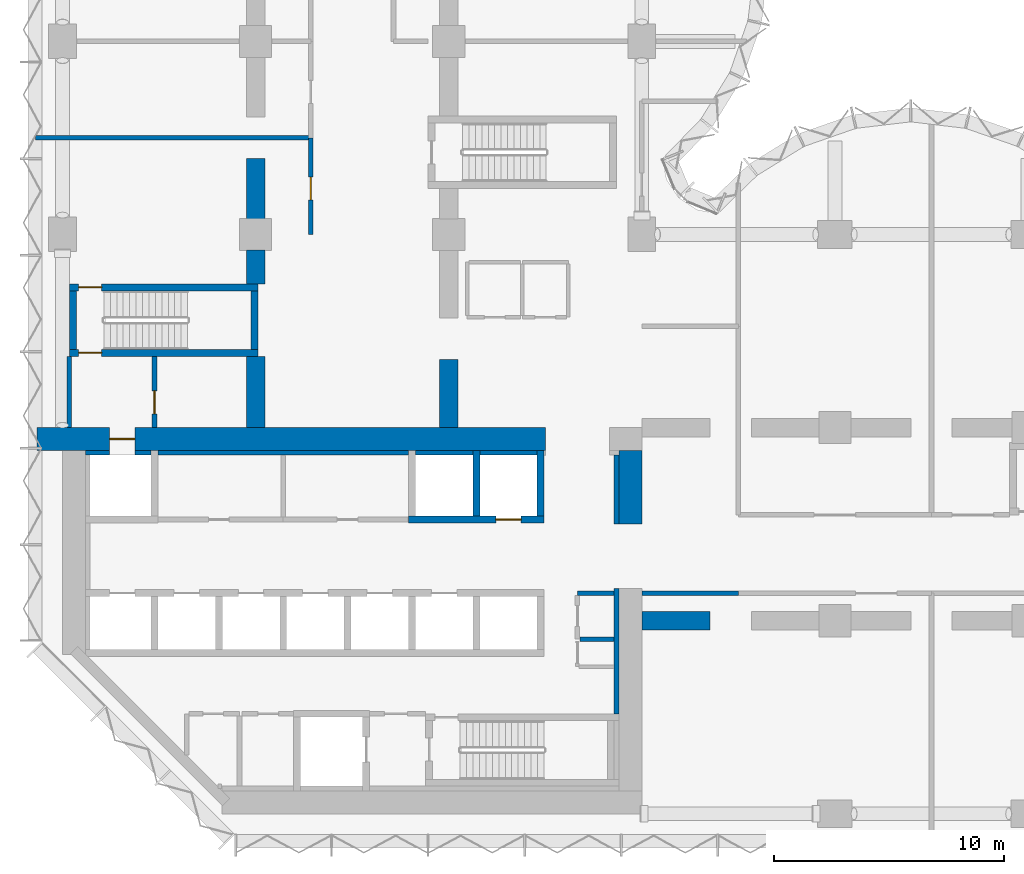
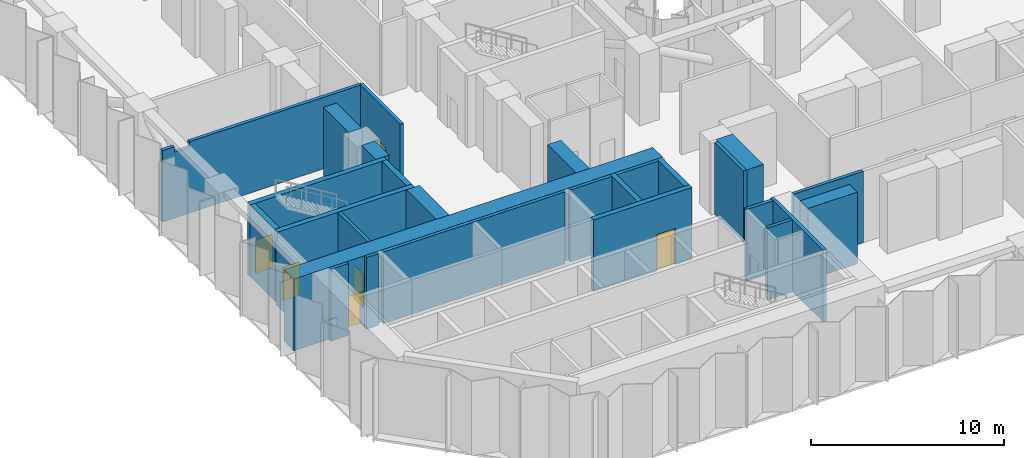
# One storey, part 10 of 18: 28 walls, 6 doors, 6 openings.
"""IFC4 building model written with IfcOpenShell, lengths in metres."""

import ifcopenshell
import ifcopenshell.guid

model = None  # the IFC model being written
_history = None  # IfcOwnerHistory: only IFC2X3 demands one
_inside = {}  # id of a spatial element -> (the spatial element, [elements in it])
_under = {}  # id of a project, library or spatial element -> (it, [spatial elements below it])
_declared = {}  # id of a project -> (the project, [libraries it declares])
_typed = {}  # id of a type object -> (the type object, [elements of that type])
_made_of = {}  # id of a material, layer set ... -> (it, [elements and type objects made of it])


def new_model(schema):
    """Start an empty IFC model of exactly this schema.

    Asked for "IFC4X3", IfcOpenShell would pick the latest addendum, in which some entities
    have other attributes; the version numbers below select the first issue.
    IFC2X3 requires an IfcOwnerHistory on every rooted entity: one is made here for all.
    """
    global model, _history
    if schema == "IFC4X3":
        model = ifcopenshell.file(schema_version=(4, 3, 0, 0))
    else:
        model = ifcopenshell.file(schema=schema)
    _inside.clear()
    _under.clear()
    _declared.clear()
    _typed.clear()
    _made_of.clear()
    _history = None
    if model.schema == "IFC2X3":
        org = make("IfcOrganization", Name="unknown")
        user = make(
            "IfcPersonAndOrganization",
            ThePerson=make("IfcPerson", FamilyName="unknown"),
            TheOrganization=org,
        )
        app = make(
            "IfcApplication",
            ApplicationDeveloper=org,
            Version="unknown",
            ApplicationFullName="unknown",
            ApplicationIdentifier="unknown",
        )
        _history = make(
            "IfcOwnerHistory",
            OwningUser=user,
            OwningApplication=app,
            ChangeAction="ADDED",
            CreationDate=0,
        )
    return model


def make(cls, **values):
    """One entity of the class cls with the attributes given. An attribute that is None is left unset."""
    return model.create_entity(
        cls, **{name: value for name, value in values.items() if value is not None}
    )


def rooted(cls, **values):
    """An entity with a GlobalId (a new one), such as an element, a storey or a relation."""
    return make(cls, GlobalId=ifcopenshell.guid.new(), OwnerHistory=_history, **values)


def si_unit(unit_type, name, prefix=None):
    """IfcSIUnit, for example si_unit("LENGTHUNIT", "METRE", prefix="MILLI")."""
    return make("IfcSIUnit", UnitType=unit_type, Prefix=prefix, Name=name)


def assignment(units):
    """IfcUnitAssignment: the units of a project."""
    return None if units is None else make("IfcUnitAssignment", Units=units)


def point(xyz):
    """IfcCartesianPoint."""
    return None if xyz is None else make("IfcCartesianPoint", Coordinates=xyz)


def direction(xyz):
    """IfcDirection."""
    return None if xyz is None else make("IfcDirection", DirectionRatios=xyz)


def frame(location, z_axis=None, x_axis=None):
    """IfcAxis2Placement3D, a coordinate frame: its origin and axes. An axis left out is left unset."""
    return make(
        "IfcAxis2Placement3D",
        Location=point(location),
        Axis=direction(z_axis),
        RefDirection=direction(x_axis),
    )


def frame_2d(location, x_axis=None):
    """IfcAxis2Placement2D, a coordinate frame in the plane: its origin and x axis."""
    return make(
        "IfcAxis2Placement2D", Location=point(location), RefDirection=direction(x_axis)
    )


def origin():
    """The frame at (0, 0, 0) with its axes left unset."""
    return frame((0.0, 0.0, 0.0))


def place(relative_to, where):
    """IfcLocalPlacement: puts the frame where relative to a parent placement (None: the world)."""
    return make(
        "IfcLocalPlacement", PlacementRelTo=relative_to, RelativePlacement=where
    )


def context(
    kind, dimensions, precision=None, world=None, true_north=None, identifier=None
):
    """IfcGeometricRepresentationContext, for example the 3D "Model" context."""
    return make(
        "IfcGeometricRepresentationContext",
        ContextIdentifier=identifier,
        ContextType=kind,
        CoordinateSpaceDimension=dimensions,
        Precision=precision,
        WorldCoordinateSystem=world,
        TrueNorth=true_north,
    )


def subcontext(parent, identifier, kind, view, scale=None):
    """IfcGeometricRepresentationSubContext, for example "Body" below "Model"."""
    return make(
        "IfcGeometricRepresentationSubContext",
        ContextIdentifier=identifier,
        ContextType=kind,
        ParentContext=parent,
        TargetScale=scale,
        TargetView=view,
    )


def project(units=None, contexts=None):
    """IfcProject with its units and contexts."""
    return rooted(
        "IfcProject",
        Name="project",
        RepresentationContexts=contexts,
        UnitsInContext=assignment(units),
    )


def spatial(cls, under=None, at=None, **own):
    """A site, building, storey or space (cls), placed at a placement, below another one or the project."""
    s = rooted(cls, ObjectPlacement=at, **own)
    if under is not None:
        _under.setdefault(under.id(), (under, []))[1].append(s)
    return s


def polyline(points):
    """IfcPolyline through the points."""
    return make("IfcPolyline", Points=[point(p) for p in points])


def profile(cls, at=None, kind="AREA", **sizes):
    """A parametric profile (cls). Its sizes go by their IFC names, for example OverallWidth=200.0."""
    return make(cls, ProfileType=kind, Position=at, **sizes)


def rectangle(**sizes):
    """IfcRectangleProfileDef."""
    return profile("IfcRectangleProfileDef", **sizes)


def outline(outer, holes=None, kind="AREA"):
    """IfcArbitraryClosedProfileDef: a profile drawn as a closed curve; with holes, ...WithVoids."""
    if holes is None:
        return make("IfcArbitraryClosedProfileDef", ProfileType=kind, OuterCurve=outer)
    return make(
        "IfcArbitraryProfileDefWithVoids",
        ProfileType=kind,
        OuterCurve=outer,
        InnerCurves=holes,
    )


def extrude(swept, where, along, depth):
    """IfcExtrudedAreaSolid: the profile swept, set in the frame where, extruded along a direction by depth."""
    return make(
        "IfcExtrudedAreaSolid",
        SweptArea=swept,
        Position=where,
        ExtrudedDirection=direction(along),
        Depth=depth,
    )


def shape(context_of_items, identifier, shape_type, items):
    """IfcShapeRepresentation: the items that make up one representation, for example the "Body"."""
    return make(
        "IfcShapeRepresentation",
        ContextOfItems=context_of_items,
        RepresentationIdentifier=identifier,
        RepresentationType=shape_type,
        Items=items,
    )


def material(Name=None, Category=None):
    """IfcMaterial."""
    return make("IfcMaterial", Name=Name, Category=Category)


def layer(
    of_material, thickness, ventilated=None, Name=None, Category=None, Priority=None
):
    """IfcMaterialLayer: one layer of a wall or slab, of a material (None: an air gap)."""
    return make(
        "IfcMaterialLayer",
        Material=of_material,
        LayerThickness=thickness,
        IsVentilated=ventilated,
        Name=Name,
        Category=Category,
        Priority=Priority,
    )


def layer_set(layers, Name=None):
    """IfcMaterialLayerSet."""
    return make("IfcMaterialLayerSet", MaterialLayers=layers, LayerSetName=Name)


def made_of(thing, what):
    """Note that an element or type object is made of a material, layer set ...; save() writes the relation."""
    if what is not None:
        _made_of.setdefault(what.id(), (what, []))[1].append(thing)
    return thing


def type_object(cls, material=None, **own):
    """A type object (cls), such as IfcWallType, which elements share."""
    return made_of(rooted(cls, **own), material)


def element(
    cls,
    number,
    at=None,
    inside=None,
    cuts=None,
    type_object=None,
    material=None,
    context=None,
    identifier="Body",
    shape_type=None,
    held_by="IfcProductDefinitionShape",
    body=None,
    shapes=None,
    **own,
):
    """One element of the class cls, such as IfcWall. Its Tag is "e" and its number.

    at: its placement. inside: the storey or other place that contains it. cuts: it is an
    opening in that element (IfcRelVoidsElement). A single representation is given by context,
    identifier, shape_type and body (its items); several are given by shapes. held_by: the class
    of the entity that holds the representations. save() writes the other relations.
    """
    e = rooted(cls, Tag="e%d" % number, ObjectPlacement=at, **own)
    if body is not None:
        shapes = [shape(context, identifier, shape_type, body)]
    if shapes is not None:
        e.Representation = make(held_by, Representations=shapes)
    if inside is not None:
        _inside.setdefault(inside.id(), (inside, []))[1].append(e)
    if cuts is not None:
        rooted(
            "IfcRelVoidsElement", RelatingBuildingElement=cuts, RelatedOpeningElement=e
        )
    if type_object is not None:
        _typed.setdefault(type_object.id(), (type_object, []))[1].append(e)
    return made_of(e, material)


def fill(opening, filler):
    """IfcRelFillsElement: the door or window that sits in an opening."""
    return rooted(
        "IfcRelFillsElement",
        RelatingOpeningElement=opening,
        RelatedBuildingElement=filler,
    )


def aggregate(whole, parts):
    """IfcRelAggregates: a whole, such as a stair, and the parts it consists of."""
    return rooted("IfcRelAggregates", RelatingObject=whole, RelatedObjects=parts)


def save(model, path):
    """Write the relations noted so far, then the file.

    IfcRelAggregates (storeys below a building ...), IfcRelContainedInSpatialStructure (elements
    in a storey), IfcRelDefinesByType, IfcRelAssociatesMaterial and IfcRelDeclares: one each for
    every whole, place, type object, material and project.
    """
    for whole, parts in _under.values():
        aggregate(whole, parts)
    for where, things in _inside.values():
        rooted(
            "IfcRelContainedInSpatialStructure",
            RelatedElements=things,
            RelatingStructure=where,
        )
    for kind, things in _typed.values():
        rooted("IfcRelDefinesByType", RelatedObjects=things, RelatingType=kind)
    for what, things in _made_of.values():
        rooted("IfcRelAssociatesMaterial", RelatedObjects=things, RelatingMaterial=what)
    for by, libraries in _declared.values():
        rooted("IfcRelDeclares", RelatingContext=by, RelatedDefinitions=libraries)
    model.write(path)


model = new_model("IFC4")

# Units and contexts
model_context = context("Model", 3, precision=1e-05, world=origin(), true_north=direction((0.0, 1.0)))
body_context = subcontext(model_context, "Body", "Model", "MODEL_VIEW")
ifc_project = project(units=[si_unit("LENGTHUNIT", "METRE"), si_unit("AREAUNIT", "SQUARE_METRE"), si_unit("VOLUMEUNIT", "CUBIC_METRE"), si_unit("PLANEANGLEUNIT", "RADIAN"), si_unit("MASSUNIT", "GRAM", prefix="KILO")], contexts=[model_context])

# Site, building, storey
site_placement = place(None, origin())
site = spatial("IfcSite", under=ifc_project, at=site_placement, CompositionType="ELEMENT")
building_placement = place(site_placement, origin())
building = spatial("IfcBuilding", under=site, at=building_placement, Name="Brevane Broadcast Tower", CompositionType="ELEMENT")
storey_placement = place(building_placement, frame((0.0, 0.0, 86.89990234375)))
storey = spatial("IfcBuildingStorey", under=building, at=storey_placement, Name="L20", CompositionType="ELEMENT", Elevation=86.89990234375)

# Walls
ifc_material_1 = material(Name="Concrete C32/40", Category="concrete")
ifc_layer_1 = layer(ifc_material_1, 0.199951171875)
ifc_layer_set_1 = layer_set([ifc_layer_1], Name="Core chase wall 200 mm")
wall_type_1 = type_object("IfcWallType", Name="Core chase wall 200 mm", PredefinedType="PARTITIONING", material=ifc_layer_set_1)
wall_1_placement = place(storey_placement, frame((24.10009765625, 12.60009765625, 0.0), z_axis=(0.0, 0.0, 1.0), x_axis=(0.0, 1.0, 0.0)))
element("IfcWall", 1, at=wall_1_placement, inside=storey, type_object=wall_type_1, Name="L20 chase wall LE2", PredefinedType="PARTITIONING", context=body_context, shape_type="SweptSolid", body=[
    extrude(rectangle(XDim=3.0, YDim=0.199951171875, at=frame_2d((1.5, 0.0))), origin(), (0.0, 0.0, 1.0), 4.550048828125),
])
wall_2_placement = place(storey_placement, frame((1.0, 15.699951171875, 0.0), z_axis=(0.0, 0.0, 1.0), x_axis=(1.0, 0.0, 0.0)))
element("IfcWall", 2, at=wall_2_placement, inside=storey, type_object=wall_type_1, Name="L20 chase wall LN0", PredefinedType="PARTITIONING", context=body_context, shape_type="SweptSolid", body=[
    extrude(rectangle(XDim=1.050048828125, YDim=0.199951171875, at=frame_2d((0.52490234375, 0.0))), origin(), (0.0, 0.0, 1.0), 4.550048828125),
])
wall_3_placement = place(storey_placement, frame((3.14990234375, 15.699951171875, 0.0), z_axis=(0.0, 0.0, 1.0), x_axis=(1.0, 0.0, 0.0)))
element("IfcWall", 3, at=wall_3_placement, inside=storey, type_object=wall_type_1, Name="L20 chase wall LN1-1", PredefinedType="PARTITIONING", context=body_context, shape_type="SweptSolid", body=[
    extrude(rectangle(XDim=0.7001953125, YDim=0.199951171875, at=frame_2d((0.35009765625, 0.0))), origin(), (0.0, 0.0, 1.0), 4.550048828125),
])
wall_4_placement = place(storey_placement, frame((4.14990234375, 15.699951171875, 0.0), z_axis=(0.0, 0.0, 1.0), x_axis=(1.0, 0.0, 0.0)))
element("IfcWall", 4, at=wall_4_placement, inside=storey, type_object=wall_type_1, Name="L20 chase wall LN1-2-1", PredefinedType="PARTITIONING", context=body_context, shape_type="SweptSolid", body=[
    extrude(rectangle(XDim=10.900146484375, YDim=0.199951171875, at=frame_2d((5.4501953125, 0.0))), origin(), (0.0, 0.0, 1.0), 4.550048828125),
])
for number, where, z_axis, x_axis, name in (
    (5, (15.35009765625, 15.699951171875, 0.0), (0.0, 0.0, 1.0), (1.0, 0.0, 0.0), "L20 chase wall LN1-2-2-1"),
    (6, (18.14990234375, 15.699951171875, 0.0), (0.0, 0.0, 1.0), (1.0, 0.0, 0.0), "L20 chase wall LN1-2-2-2-1"),
):
    element("IfcWall", number, at=place(storey_placement, frame(where, z_axis=z_axis, x_axis=x_axis)), inside=storey, type_object=wall_type_1, Name=name, PredefinedType="PARTITIONING", context=body_context, shape_type="SweptSolid", body=[
        extrude(rectangle(XDim=2.5, YDim=0.199951171875, at=frame_2d((1.25, 0.0))), origin(), (0.0, 0.0, 1.0), 4.550048828125),
    ])
wall_5_placement = place(storey_placement, frame((24.10009765625, 4.35009765625, 0.0), z_axis=(0.0, 0.0, 1.0), x_axis=(0.0, 1.0, 0.0)))
element("IfcWall", 7, at=wall_5_placement, inside=storey, type_object=wall_type_1, Name="L20 chase wall LE1-2-2", PredefinedType="PARTITIONING", context=body_context, shape_type="SweptSolid", body=[
    extrude(rectangle(XDim=5.449951171875, YDim=0.199951171875, at=frame_2d((2.72509765625, 0.0))), origin(), (0.0, 0.0, 1.0), 4.550048828125),
])
ifc_material_2 = material(Name="Gypsum board on steel studs", Category="steel")
ifc_layer_2 = layer(ifc_material_2, 0.199951171875)
ifc_layer_set_2 = layer_set([ifc_layer_2], Name="Core fire partition 200 mm")
wall_type_2 = type_object("IfcWallType", Name="Core fire partition 200 mm", PredefinedType="PARTITIONING", material=ifc_layer_set_2)
wall_6_placement = place(storey_placement, frame((0.300048828125, 16.81201171875, 0.0), z_axis=(0.0, 0.0, 1.0), x_axis=(0.0, 1.0, 0.0)))
element("IfcWall", 8, at=wall_6_placement, inside=storey, type_object=wall_type_2, Name="L20 partition wall P01", PredefinedType="PARTITIONING", context=body_context, shape_type="SweptSolid", body=[
    extrude(rectangle(XDim=3.075927734375, YDim=0.199951171875, at=frame_2d((1.5380859375, 0.0))), origin(), (0.0, 0.0, 1.0), 4.18017578125),
])

# Wall, opening, door
wall_7_placement = place(storey_placement, frame((4.0, 19.887939453125, 0.0), z_axis=(0.0, 0.0, 1.0), x_axis=(0.0, -1.0, 0.0)))
wall_7 = element("IfcWall", 9, at=wall_7_placement, inside=storey, type_object=wall_type_2, Name="L20 partition wall P02", PredefinedType="PARTITIONING", context=body_context, shape_type="SweptSolid", body=[
    extrude(rectangle(XDim=3.075927734375, YDim=0.199951171875, at=frame_2d((1.5380859375, 0.0))), origin(), (0.0, 0.0, 1.0), 4.550048828125),
])
opening_1_placement = place(wall_7_placement, frame((1.488037109375, 0.0, 0.0)))
opening_1 = element("IfcOpeningElement", 10, at=opening_1_placement, cuts=wall_7, Name="Opening L20-K23", PredefinedType="OPENING", context=body_context, shape_type="SweptSolid", body=[
    extrude(rectangle(XDim=1.0, YDim=2.10009765625, at=frame_2d((0.5, 1.050048828125))), frame((0.0, 0.10986328125, 0.0), z_axis=(0.0, -1.0, 0.0), x_axis=(1.0, 0.0, 0.0)), (0.0, 0.0, 1.0), 0.219970703125),
])
ifc_material_3 = material(Name="Steel", Category="steel")
door_type_1 = type_object("IfcDoorType", Name="Stair door 1000 x 2100", OperationType="SINGLE_SWING_LEFT", PredefinedType="DOOR", material=ifc_material_3)
door_1_placement = place(opening_1_placement, origin())
door_1 = element("IfcDoor", 11, at=door_1_placement, inside=storey, type_object=door_type_1, Name="Door L20-K23", OperationType="SINGLE_SWING_LEFT", OverallHeight=2.10009765625, OverallWidth=1.0, PredefinedType="DOOR", context=body_context, shape_type="SweptSolid", body=[
    extrude(rectangle(XDim=1.0, YDim=2.10009765625, at=frame_2d((0.5, 1.050048828125))), frame((0.0, 0.02490234375, 0.0), z_axis=(0.0, -1.0, 0.0), x_axis=(1.0, 0.0, 0.0)), (0.0, 0.0, 1.0), 0.050048828125),
])
fill(opening_1, door_1)

# Walls
wall_8_placement = place(storey_placement, frame((23.988037109375, 9.60009765625, 0.0), z_axis=(0.0, 0.0, 1.0), x_axis=(-1.0, 0.0, 0.0)))
element("IfcWall", 12, at=wall_8_placement, inside=storey, type_object=wall_type_2, Name="L20 partition wall P12", PredefinedType="PARTITIONING", context=body_context, shape_type="SweptSolid", body=[
    extrude(rectangle(XDim=1.588134765625, YDim=0.199951171875, at=frame_2d((0.7939453125, 0.0))), origin(), (0.0, 0.0, 1.0), 4.550048828125),
])
wall_9_placement = place(storey_placement, frame((22.5, 7.60009765625, 0.0), z_axis=(0.0, 0.0, 1.0), x_axis=(1.0, 0.0, 0.0)))
element("IfcWall", 13, at=wall_9_placement, inside=storey, type_object=wall_type_2, Name="L20 partition wall P14", PredefinedType="PARTITIONING", context=body_context, shape_type="SweptSolid", body=[
    extrude(rectangle(XDim=1.488037109375, YDim=0.199951171875, at=frame_2d((0.744140625, 0.0))), origin(), (0.0, 0.0, 1.0), 4.550048828125),
])

# Wall, opening, door
ifc_material_4 = material(Name="Concrete C80/95", Category="concrete")
ifc_layer_3 = layer(ifc_material_4, 1.0)
ifc_layer_set_3 = layer_set([ifc_layer_3], Name="Core wall 1000 mm C80/95")
wall_type_3 = type_object("IfcWallType", Name="Core wall 1000 mm C80/95", PredefinedType="SHEAR", material=ifc_layer_set_3)
wall_10_placement = place(storey_placement, frame((-1.10009765625, 16.300048828125, 0.0), z_axis=(0.0, 0.0, 1.0), x_axis=(1.0, 0.0, 0.0)))
wall_10 = element("IfcWall", 14, at=wall_10_placement, inside=storey, type_object=wall_type_3, Name="L20 outer wall WN1", PredefinedType="SHEAR", context=body_context, shape_type="SweptSolid", body=[
    extrude(rectangle(XDim=22.10009765625, YDim=1.0, at=frame_2d((11.050048828125, 0.0))), origin(), (0.0, 0.0, 1.0), 4.550048828125),
])
opening_2_placement = place(wall_10_placement, frame((3.14990234375, 0.0, 0.0)))
opening_2 = element("IfcOpeningElement", 15, at=opening_2_placement, cuts=wall_10, Name="Opening LD", PredefinedType="OPENING", context=body_context, shape_type="SweptSolid", body=[
    extrude(rectangle(XDim=1.10009765625, YDim=2.300048828125, at=frame_2d((0.550048828125, 1.14990234375))), frame((0.0, 0.510009765625, 0.0), z_axis=(0.0, -1.0, 0.0), x_axis=(1.0, 0.0, 0.0)), (0.0, 0.0, 1.0), 1.02001953125),
])
ifc_material_5 = material(Name="Stainless steel", Category="steel")
door_type_2 = type_object("IfcDoorType", Name="Lift landing door", OperationType="SLIDING_TO_LEFT", PredefinedType="DOOR", material=ifc_material_5)
door_2_placement = place(opening_2_placement, origin())
door_2 = element("IfcDoor", 16, at=door_2_placement, inside=storey, type_object=door_type_2, Name="Landing door FF1 L20", OperationType="SLIDING_TO_LEFT", OverallHeight=2.300048828125, OverallWidth=1.10009765625, PredefinedType="DOOR", context=body_context, shape_type="SweptSolid", body=[
    extrude(rectangle(XDim=1.10009765625, YDim=2.300048828125, at=frame_2d((0.550048828125, 1.14990234375))), frame((0.0, 0.02490234375, 0.0), z_axis=(0.0, -1.0, 0.0), x_axis=(1.0, 0.0, 0.0)), (0.0, 0.0, 1.0), 0.050048828125),
])
fill(opening_2, door_2)

# Wall
wall_11_placement = place(storey_placement, frame((24.699951171875, 12.60009765625, 0.0), z_axis=(0.0, 0.0, 1.0), x_axis=(0.0, 1.0, 0.0)))
element("IfcWall", 17, at=wall_11_placement, inside=storey, type_object=wall_type_3, Name="L20 outer wall WE2", PredefinedType="SHEAR", context=body_context, shape_type="SweptSolid", body=[
    extrude(rectangle(XDim=3.199951171875, YDim=1.0, at=frame_2d((1.60009765625, 0.0))), origin(), (0.0, 0.0, 1.0), 4.550048828125),
])

# Wall, opening, door
ifc_layer_4 = layer(ifc_material_4, 0.300048828125)
ifc_layer_set_4 = layer_set([ifc_layer_4], Name="Core wall 300 mm C80/95")
wall_type_4 = type_object("IfcWallType", Name="Core wall 300 mm C80/95", PredefinedType="SHEAR", material=ifc_layer_set_4)
wall_12_placement = place(storey_placement, frame((15.050048828125, 12.800048828125, 0.0), z_axis=(0.0, 0.0, 1.0), x_axis=(1.0, 0.0, 0.0)))
wall_12 = element("IfcWall", 18, at=wall_12_placement, inside=storey, type_object=wall_type_4, Name="L20 shaft wall SH-N152-front", PredefinedType="SHEAR", context=body_context, shape_type="SweptSolid", body=[
    extrude(rectangle(XDim=5.89990234375, YDim=0.300048828125, at=frame_2d((2.949951171875, 0.0))), origin(), (0.0, 0.0, 1.0), 4.550048828125),
])
opening_3_placement = place(wall_12_placement, frame((3.800048828125, 0.0, 0.0)))
opening_3 = element("IfcOpeningElement", 19, at=opening_3_placement, cuts=wall_12, Name="Opening LD", PredefinedType="OPENING", context=body_context, shape_type="SweptSolid", body=[
    extrude(rectangle(XDim=1.10009765625, YDim=2.300048828125, at=frame_2d((0.550048828125, 1.14990234375))), frame((0.0, 0.159912109375, 0.0), z_axis=(0.0, -1.0, 0.0), x_axis=(1.0, 0.0, 0.0)), (0.0, 0.0, 1.0), 0.320068359375),
])
door_3_placement = place(opening_3_placement, origin())
door_3 = element("IfcDoor", 20, at=door_3_placement, inside=storey, type_object=door_type_2, Name="Landing door SL1 L20", OperationType="SLIDING_TO_LEFT", OverallHeight=2.300048828125, OverallWidth=1.10009765625, PredefinedType="DOOR", context=body_context, shape_type="SweptSolid", body=[
    extrude(rectangle(XDim=1.10009765625, YDim=2.300048828125, at=frame_2d((0.550048828125, 1.14990234375))), frame((0.0, 0.02490234375, 0.0), z_axis=(0.0, -1.0, 0.0), x_axis=(1.0, 0.0, 0.0)), (0.0, 0.0, 1.0), 0.050048828125),
])
fill(opening_3, door_3)

# Walls
for number, where, z_axis, x_axis, name in (
    (21, (18.0, 12.949951171875, 0.0), (0.0, 0.0, 1.0), (0.0, 1.0, 0.0), "L20 shaft wall SH-N-P180"),
    (22, (20.800048828125, 12.949951171875, 0.0), (0.0, 0.0, 1.0), (0.0, 1.0, 0.0), "L20 shaft wall SH-N-P208"),
):
    element("IfcWall", number, at=place(storey_placement, frame(where, z_axis=z_axis, x_axis=x_axis)), inside=storey, type_object=wall_type_4, Name=name, PredefinedType="SHEAR", context=body_context, shape_type="SweptSolid", body=[
        extrude(rectangle(XDim=2.85009765625, YDim=0.300048828125, at=frame_2d((1.425048828125, 0.0))), origin(), (0.0, 0.0, 1.0), 4.550048828125),
    ])

# Wall, opening, door
wall_13_placement = place(storey_placement, frame((8.5, 20.050048828125, 0.0), z_axis=(0.0, 0.0, 1.0), x_axis=(-1.0, 0.0, 0.0)))
wall_13 = element("IfcWall", 23, at=wall_13_placement, inside=storey, type_object=wall_type_4, Name="L20 stair wall ST-1-S", PredefinedType="SHEAR", context=body_context, shape_type="SweptSolid", body=[
    extrude(rectangle(XDim=8.199951171875, YDim=0.300048828125, at=frame_2d((4.10009765625, 0.0))), origin(), (0.0, 0.0, 1.0), 4.550048828125),
])
opening_4_placement = place(wall_13_placement, frame((6.800048828125, 0.0, 0.0)))
opening_4 = element("IfcOpeningElement", 24, at=opening_4_placement, cuts=wall_13, Name="Opening L20-K10", PredefinedType="OPENING", context=body_context, shape_type="SweptSolid", body=[
    extrude(rectangle(XDim=1.0, YDim=2.10009765625, at=frame_2d((0.5, 1.050048828125))), frame((0.0, 0.159912109375, 0.0), z_axis=(0.0, -1.0, 0.0), x_axis=(1.0, 0.0, 0.0)), (0.0, 0.0, 1.0), 0.320068359375),
])
door_4_placement = place(opening_4_placement, origin())
door_4 = element("IfcDoor", 25, at=door_4_placement, inside=storey, type_object=door_type_1, Name="Door L20-K10", OperationType="SINGLE_SWING_RIGHT", OverallHeight=2.10009765625, OverallWidth=1.0, PredefinedType="DOOR", context=body_context, shape_type="SweptSolid", body=[
    extrude(rectangle(XDim=1.0, YDim=2.10009765625, at=frame_2d((0.5, 1.050048828125))), frame((0.0, 0.02490234375, 0.0), z_axis=(0.0, -1.0, 0.0), x_axis=(1.0, 0.0, 0.0)), (0.0, 0.0, 1.0), 0.050048828125),
])
fill(opening_4, door_4)

wall_14_placement = place(storey_placement, frame((0.300048828125, 22.89990234375, 0.0), z_axis=(0.0, 0.0, 1.0), x_axis=(1.0, 0.0, 0.0)))
wall_14 = element("IfcWall", 26, at=wall_14_placement, inside=storey, type_object=wall_type_4, Name="L20 stair wall ST-1-N", PredefinedType="SHEAR", context=body_context, shape_type="SweptSolid", body=[
    extrude(rectangle(XDim=8.199951171875, YDim=0.300048828125, at=frame_2d((4.10009765625, 0.0))), origin(), (0.0, 0.0, 1.0), 4.550048828125),
])
opening_5_placement = place(wall_14_placement, frame((0.39990234375, 0.0, 0.0)))
opening_5 = element("IfcOpeningElement", 27, at=opening_5_placement, cuts=wall_14, Name="Opening L20-K11", PredefinedType="OPENING", context=body_context, shape_type="SweptSolid", body=[
    extrude(rectangle(XDim=1.0, YDim=2.10009765625, at=frame_2d((0.5, 1.050048828125))), frame((0.0, 0.159912109375, 0.0), z_axis=(0.0, -1.0, 0.0), x_axis=(1.0, 0.0, 0.0)), (0.0, 0.0, 1.0), 0.320068359375),
])
door_5_placement = place(opening_5_placement, origin())
door_5 = element("IfcDoor", 28, at=door_5_placement, inside=storey, type_object=door_type_1, Name="Door L20-K11", OperationType="SINGLE_SWING_LEFT", OverallHeight=2.10009765625, OverallWidth=1.0, PredefinedType="DOOR", context=body_context, shape_type="SweptSolid", body=[
    extrude(rectangle(XDim=1.0, YDim=2.10009765625, at=frame_2d((0.5, 1.050048828125))), frame((0.0, 0.02490234375, 0.0), z_axis=(0.0, -1.0, 0.0), x_axis=(1.0, 0.0, 0.0)), (0.0, 0.0, 1.0), 0.050048828125),
])
fill(opening_5, door_5)

# Walls
for number, where, z_axis, x_axis, name in (
    (29, (0.449951171875, 20.199951171875, 0.0), (0.0, 0.0, 1.0), (0.0, 1.0, 0.0), "L20 stair wall ST-1-W"),
    (30, (8.35009765625, 20.199951171875, 0.0), (0.0, 0.0, 1.0), (0.0, 1.0, 0.0), "L20 stair wall ST-1-E"),
):
    element("IfcWall", number, at=place(storey_placement, frame(where, z_axis=z_axis, x_axis=x_axis)), inside=storey, type_object=wall_type_4, Name=name, PredefinedType="SHEAR", context=body_context, shape_type="SweptSolid", body=[
        extrude(rectangle(XDim=2.550048828125, YDim=0.300048828125, at=frame_2d((1.27490234375, 0.0))), origin(), (0.0, 0.0, 1.0), 4.550048828125),
    ])
ifc_material_6 = material(Name="Gypsum board partition")
ifc_layer_5 = layer(ifc_material_6, 0.199951171875)
ifc_layer_set_5 = layer_set([ifc_layer_5], Name="PARTITION 200 EI 120")
wall_type_5 = type_object("IfcWallType", Name="PARTITION 200 EI 120", PredefinedType="PARTITIONING", material=ifc_layer_set_5)
wall_15_placement = place(storey_placement, frame((29.39990234375, 9.60009765625, 0.0), z_axis=(0.0, 0.0, 1.0), x_axis=(-1.0, 0.0, 0.0)))
element("IfcWall", 31, at=wall_15_placement, inside=storey, type_object=wall_type_5, Name="Partition R1-002", PredefinedType="PARTITIONING", context=body_context, shape_type="SweptSolid", body=[
    extrude(rectangle(XDim=4.199951171875, YDim=0.199951171875, at=frame_2d((2.10009765625, 0.0))), origin(), (0.0, 0.0, 1.0), 4.530029296875),
])

# Wall, opening, door
wall_16_placement = place(storey_placement, frame((10.800048828125, 25.199951171875, 0.0), z_axis=(0.0, 0.0, 1.0), x_axis=(0.0, 1.0, 0.0)))
wall_16 = element("IfcWall", 32, at=wall_16_placement, inside=storey, type_object=wall_type_5, Name="Partition R1-024", PredefinedType="PARTITIONING", context=body_context, shape_type="SweptSolid", body=[
    extrude(rectangle(XDim=4.199951171875, YDim=0.199951171875, at=frame_2d((2.10009765625, 0.0))), origin(), (0.0, 0.0, 1.0), 4.530029296875),
])
opening_6_placement = place(wall_16_placement, frame((1.5, 0.0, 0.0)))
opening_6 = element("IfcOpeningElement", 33, at=opening_6_placement, cuts=wall_16, Name="Opening D12-010", PredefinedType="OPENING", context=body_context, shape_type="SweptSolid", body=[
    extrude(rectangle(XDim=1.0, YDim=2.10009765625, at=frame_2d((0.5, 1.050048828125))), frame((0.0, 0.10986328125, 0.0), z_axis=(0.0, -1.0, 0.0), x_axis=(1.0, 0.0, 0.0)), (0.0, 0.0, 1.0), 0.219970703125),
])
ifc_material_7 = material(Name="Fire-rated timber door leaf", Category="wood")
door_type_3 = type_object("IfcDoorType", Name="DOOR SINGLE 1000 FD60", OperationType="SINGLE_SWING_LEFT", PredefinedType="DOOR", material=ifc_material_7)
door_6_placement = place(opening_6_placement, origin())
door_6 = element("IfcDoor", 34, at=door_6_placement, inside=storey, type_object=door_type_3, Name="Door D12-010", OperationType="SINGLE_SWING_LEFT", OverallHeight=2.10009765625, OverallWidth=1.0, PredefinedType="DOOR", context=body_context, shape_type="SweptSolid", body=[
    extrude(rectangle(XDim=1.0, YDim=2.10009765625, at=frame_2d((0.5, 1.050048828125))), frame((0.0, 0.02490234375, 0.0), z_axis=(0.0, -1.0, 0.0), x_axis=(1.0, 0.0, 0.0)), (0.0, 0.0, 1.0), 0.050048828125),
])
fill(opening_6, door_6)

# Walls
wall_17_placement = place(storey_placement, frame((-1.175537109375, 29.39990234375, 0.0), z_axis=(0.0, 0.0, 1.0), x_axis=(1.0, 0.0, 0.0)))
element("IfcWall", 35, at=wall_17_placement, inside=storey, type_object=wall_type_5, Name="Partition R1-033", PredefinedType="PARTITIONING", context=body_context, shape_type="SweptSolid", body=[
    extrude(outline(polyline([(0.0, 0.0), (11.9755859375, 0.0), (11.9755859375, 4.530029296875), (1.62548828125, 4.530029296875), (1.62353515625, 4.18017578125), (0.7275390625, 4.18017578125), (0.7255859375, 4.530029296875), (0.075439453125, 4.530029296875), (0.0, 4.530029296875), (0.0, 0.0)])), frame((0.0, 0.10009765625, 0.0), z_axis=(0.0, -1.0, 0.0), x_axis=(1.0, 0.0, 0.0)), (0.0, 0.0, 1.0), 0.199951171875),
])
ifc_material_8 = material(Name="Concrete C60/75", Category="concrete")
ifc_layer_6 = layer(ifc_material_8, 0.800048828125)
ifc_layer_set_6 = layer_set([ifc_layer_6], Name="RC OUTRIGGER WALL 800 C60/75")
wall_type_6 = type_object("IfcWallType", Name="RC OUTRIGGER WALL 800 C60/75", PredefinedType="SHEAR", material=ifc_layer_set_6)
wall_18_placement = place(storey_placement, frame((25.199951171875, 8.39990234375, 0.0), z_axis=(0.0, 0.0, 1.0), x_axis=(1.0, 0.0, 0.0)))
element("IfcWall", 36, at=wall_18_placement, inside=storey, type_object=wall_type_6, Name="OR1 L20-1", PredefinedType="SHEAR", context=body_context, shape_type="SweptSolid", body=[
    extrude(rectangle(XDim=2.965087890625, YDim=0.800048828125, at=frame_2d((1.482421875, 0.0))), origin(), (0.0, 0.0, 1.0), 4.550048828125),
])
wall_19_placement = place(storey_placement, frame((8.39990234375, 16.800048828125, 0.0), z_axis=(0.0, 0.0, 1.0), x_axis=(0.0, 1.0, 0.0)))
element("IfcWall", 37, at=wall_19_placement, inside=storey, type_object=wall_type_6, Name="OR1 L20-21", PredefinedType="SHEAR", context=body_context, shape_type="SweptSolid", body=[
    extrude(rectangle(XDim=3.099853515625, YDim=0.800048828125, at=frame_2d((1.5498046875, 0.0))), origin(), (0.0, 0.0, 1.0), 4.550048828125),
])
wall_20_placement = place(storey_placement, frame((8.39990234375, 23.050048828125, 0.0), z_axis=(0.0, 0.0, 1.0), x_axis=(0.0, 1.0, 0.0)))
element("IfcWall", 38, at=wall_20_placement, inside=storey, type_object=wall_type_6, Name="OR1 L20-22", PredefinedType="SHEAR", context=body_context, shape_type="SweptSolid", body=[
    extrude(rectangle(XDim=1.47998046875, YDim=0.800048828125, at=frame_2d((0.739990234375, 0.0))), origin(), (0.0, 0.0, 1.0), 4.550048828125),
])
wall_21_placement = place(storey_placement, frame((8.39990234375, 25.8701171875, 0.0), z_axis=(0.0, 0.0, 1.0), x_axis=(0.0, 1.0, 0.0)))
element("IfcWall", 39, at=wall_21_placement, inside=storey, type_object=wall_type_6, Name="OR1 L20-23", PredefinedType="SHEAR", context=body_context, shape_type="SweptSolid", body=[
    extrude(rectangle(XDim=2.6298828125, YDim=0.800048828125, at=frame_2d((1.31494140625, 0.0))), origin(), (0.0, 0.0, 1.0), 4.550048828125),
])
wall_22_placement = place(storey_placement, frame((16.800048828125, 16.800048828125, 0.0), z_axis=(0.0, 0.0, 1.0), x_axis=(0.0, 1.0, 0.0)))
element("IfcWall", 40, at=wall_22_placement, inside=storey, type_object=wall_type_6, Name="OR1 L20-33", PredefinedType="SHEAR", context=body_context, shape_type="SweptSolid", body=[
    extrude(rectangle(XDim=2.96484375, YDim=0.800048828125, at=frame_2d((1.482421875, 0.0))), origin(), (0.0, 0.0, 1.0), 4.550048828125),
])

save(model, "model.ifc")
